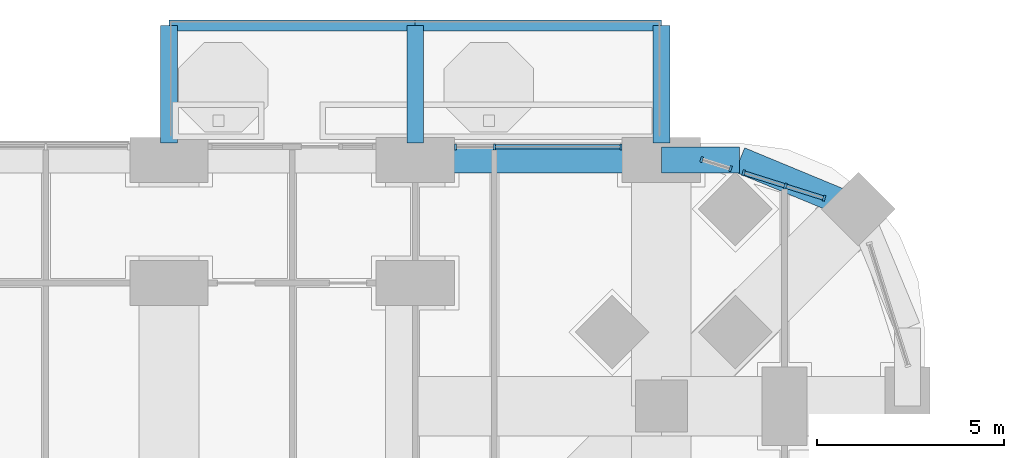
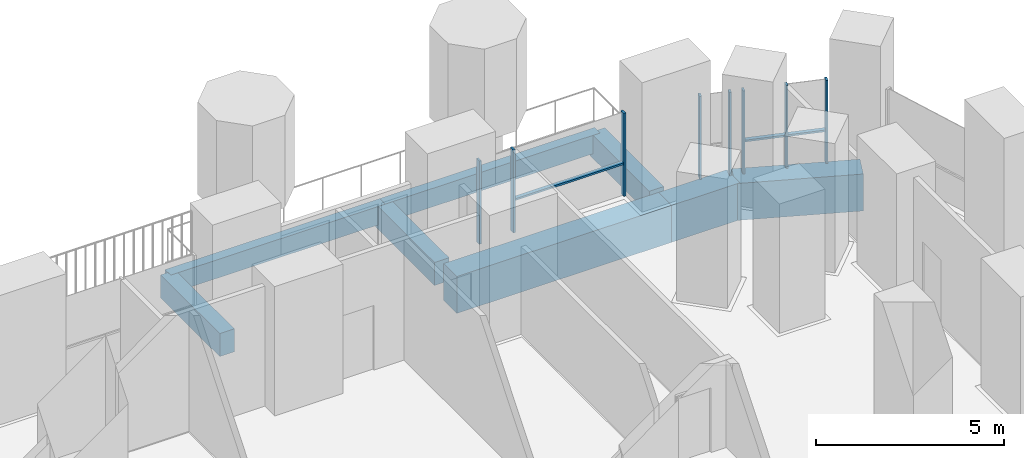
# One storey, part 10 of 27: 11 members, 8 beams, 3 elements without a shape of their own.
"""IFC4 building model written with IfcOpenShell, lengths in metres."""

import ifcopenshell
import ifcopenshell.guid

model = None  # the IFC model being written
_history = None  # IfcOwnerHistory: only IFC2X3 demands one
_inside = {}  # id of a spatial element -> (the spatial element, [elements in it])
_under = {}  # id of a project, library or spatial element -> (it, [spatial elements below it])
_declared = {}  # id of a project -> (the project, [libraries it declares])
_typed = {}  # id of a type object -> (the type object, [elements of that type])
_made_of = {}  # id of a material, layer set ... -> (it, [elements and type objects made of it])


def new_model(schema):
    """Start an empty IFC model of exactly this schema.

    Asked for "IFC4X3", IfcOpenShell would pick the latest addendum, in which some entities
    have other attributes; the version numbers below select the first issue.
    IFC2X3 requires an IfcOwnerHistory on every rooted entity: one is made here for all.
    """
    global model, _history
    if schema == "IFC4X3":
        model = ifcopenshell.file(schema_version=(4, 3, 0, 0))
    else:
        model = ifcopenshell.file(schema=schema)
    _inside.clear()
    _under.clear()
    _declared.clear()
    _typed.clear()
    _made_of.clear()
    _history = None
    if model.schema == "IFC2X3":
        org = make("IfcOrganization", Name="unknown")
        user = make(
            "IfcPersonAndOrganization",
            ThePerson=make("IfcPerson", FamilyName="unknown"),
            TheOrganization=org,
        )
        app = make(
            "IfcApplication",
            ApplicationDeveloper=org,
            Version="unknown",
            ApplicationFullName="unknown",
            ApplicationIdentifier="unknown",
        )
        _history = make(
            "IfcOwnerHistory",
            OwningUser=user,
            OwningApplication=app,
            ChangeAction="ADDED",
            CreationDate=0,
        )
    return model


def make(cls, **values):
    """One entity of the class cls with the attributes given. An attribute that is None is left unset."""
    return model.create_entity(
        cls, **{name: value for name, value in values.items() if value is not None}
    )


def rooted(cls, **values):
    """An entity with a GlobalId (a new one), such as an element, a storey or a relation."""
    return make(cls, GlobalId=ifcopenshell.guid.new(), OwnerHistory=_history, **values)


def si_unit(unit_type, name, prefix=None):
    """IfcSIUnit, for example si_unit("LENGTHUNIT", "METRE", prefix="MILLI")."""
    return make("IfcSIUnit", UnitType=unit_type, Prefix=prefix, Name=name)


def assignment(units):
    """IfcUnitAssignment: the units of a project."""
    return None if units is None else make("IfcUnitAssignment", Units=units)


def point(xyz):
    """IfcCartesianPoint."""
    return None if xyz is None else make("IfcCartesianPoint", Coordinates=xyz)


def direction(xyz):
    """IfcDirection."""
    return None if xyz is None else make("IfcDirection", DirectionRatios=xyz)


def frame(location, z_axis=None, x_axis=None):
    """IfcAxis2Placement3D, a coordinate frame: its origin and axes. An axis left out is left unset."""
    return make(
        "IfcAxis2Placement3D",
        Location=point(location),
        Axis=direction(z_axis),
        RefDirection=direction(x_axis),
    )


def frame_2d(location, x_axis=None):
    """IfcAxis2Placement2D, a coordinate frame in the plane: its origin and x axis."""
    return make(
        "IfcAxis2Placement2D", Location=point(location), RefDirection=direction(x_axis)
    )


def origin():
    """The frame at (0, 0, 0) with its axes left unset."""
    return frame((0.0, 0.0, 0.0))


def origin_2d():
    """The frame at (0, 0) in the plane with its x axis left unset."""
    return frame_2d((0.0, 0.0))


def place(relative_to, where):
    """IfcLocalPlacement: puts the frame where relative to a parent placement (None: the world)."""
    return make(
        "IfcLocalPlacement", PlacementRelTo=relative_to, RelativePlacement=where
    )


def context(
    kind, dimensions, precision=None, world=None, true_north=None, identifier=None
):
    """IfcGeometricRepresentationContext, for example the 3D "Model" context."""
    return make(
        "IfcGeometricRepresentationContext",
        ContextIdentifier=identifier,
        ContextType=kind,
        CoordinateSpaceDimension=dimensions,
        Precision=precision,
        WorldCoordinateSystem=world,
        TrueNorth=true_north,
    )


def subcontext(parent, identifier, kind, view, scale=None):
    """IfcGeometricRepresentationSubContext, for example "Body" below "Model"."""
    return make(
        "IfcGeometricRepresentationSubContext",
        ContextIdentifier=identifier,
        ContextType=kind,
        ParentContext=parent,
        TargetScale=scale,
        TargetView=view,
    )


def project(units=None, contexts=None):
    """IfcProject with its units and contexts."""
    return rooted(
        "IfcProject",
        Name="project",
        RepresentationContexts=contexts,
        UnitsInContext=assignment(units),
    )


def spatial(cls, under=None, at=None, **own):
    """A site, building, storey or space (cls), placed at a placement, below another one or the project."""
    s = rooted(cls, ObjectPlacement=at, **own)
    if under is not None:
        _under.setdefault(under.id(), (under, []))[1].append(s)
    return s


def profile(cls, at=None, kind="AREA", **sizes):
    """A parametric profile (cls). Its sizes go by their IFC names, for example OverallWidth=200.0."""
    return make(cls, ProfileType=kind, Position=at, **sizes)


def rectangle(**sizes):
    """IfcRectangleProfileDef."""
    return profile("IfcRectangleProfileDef", **sizes)


def extrude(swept, where, along, depth):
    """IfcExtrudedAreaSolid: the profile swept, set in the frame where, extruded along a direction by depth."""
    return make(
        "IfcExtrudedAreaSolid",
        SweptArea=swept,
        Position=where,
        ExtrudedDirection=direction(along),
        Depth=depth,
    )


def shape(context_of_items, identifier, shape_type, items):
    """IfcShapeRepresentation: the items that make up one representation, for example the "Body"."""
    return make(
        "IfcShapeRepresentation",
        ContextOfItems=context_of_items,
        RepresentationIdentifier=identifier,
        RepresentationType=shape_type,
        Items=items,
    )


def material(Name=None, Category=None):
    """IfcMaterial."""
    return make("IfcMaterial", Name=Name, Category=Category)


def material_profile(
    of_material, cross_section, Name=None, Category=None, Priority=None
):
    """IfcMaterialProfile: a cross section and its material."""
    return make(
        "IfcMaterialProfile",
        Name=Name,
        Material=of_material,
        Profile=cross_section,
        Priority=Priority,
        Category=Category,
    )


def profile_set(profiles, Name=None, composite=None):
    """IfcMaterialProfileSet."""
    return make(
        "IfcMaterialProfileSet",
        Name=Name,
        MaterialProfiles=profiles,
        CompositeProfile=composite,
    )


def made_of(thing, what):
    """Note that an element or type object is made of a material, layer set ...; save() writes the relation."""
    if what is not None:
        _made_of.setdefault(what.id(), (what, []))[1].append(thing)
    return thing


def type_object(cls, material=None, **own):
    """A type object (cls), such as IfcWallType, which elements share."""
    return made_of(rooted(cls, **own), material)


def element(
    cls,
    number,
    at=None,
    inside=None,
    cuts=None,
    type_object=None,
    material=None,
    context=None,
    identifier="Body",
    shape_type=None,
    held_by="IfcProductDefinitionShape",
    body=None,
    shapes=None,
    **own,
):
    """One element of the class cls, such as IfcWall. Its Tag is "e" and its number.

    at: its placement. inside: the storey or other place that contains it. cuts: it is an
    opening in that element (IfcRelVoidsElement). A single representation is given by context,
    identifier, shape_type and body (its items); several are given by shapes. held_by: the class
    of the entity that holds the representations. save() writes the other relations.
    """
    e = rooted(cls, Tag="e%d" % number, ObjectPlacement=at, **own)
    if body is not None:
        shapes = [shape(context, identifier, shape_type, body)]
    if shapes is not None:
        e.Representation = make(held_by, Representations=shapes)
    if inside is not None:
        _inside.setdefault(inside.id(), (inside, []))[1].append(e)
    if cuts is not None:
        rooted(
            "IfcRelVoidsElement", RelatingBuildingElement=cuts, RelatedOpeningElement=e
        )
    if type_object is not None:
        _typed.setdefault(type_object.id(), (type_object, []))[1].append(e)
    return made_of(e, material)


def aggregate(whole, parts):
    """IfcRelAggregates: a whole, such as a stair, and the parts it consists of."""
    return rooted("IfcRelAggregates", RelatingObject=whole, RelatedObjects=parts)


def save(model, path):
    """Write the relations noted so far, then the file.

    IfcRelAggregates (storeys below a building ...), IfcRelContainedInSpatialStructure (elements
    in a storey), IfcRelDefinesByType, IfcRelAssociatesMaterial and IfcRelDeclares: one each for
    every whole, place, type object, material and project.
    """
    for whole, parts in _under.values():
        aggregate(whole, parts)
    for where, things in _inside.values():
        rooted(
            "IfcRelContainedInSpatialStructure",
            RelatedElements=things,
            RelatingStructure=where,
        )
    for kind, things in _typed.values():
        rooted("IfcRelDefinesByType", RelatedObjects=things, RelatingType=kind)
    for what, things in _made_of.values():
        rooted("IfcRelAssociatesMaterial", RelatedObjects=things, RelatingMaterial=what)
    for by, libraries in _declared.values():
        rooted("IfcRelDeclares", RelatingContext=by, RelatedDefinitions=libraries)
    model.write(path)


model = new_model("IFC4")

# Units and contexts
model_context = context("Model", 3, precision=1e-05, world=origin(), true_north=direction((0.0, 1.0)))
body_context = subcontext(model_context, "Body", "Model", "MODEL_VIEW")
ifc_project = project(units=[si_unit("LENGTHUNIT", "METRE"), si_unit("AREAUNIT", "SQUARE_METRE"), si_unit("VOLUMEUNIT", "CUBIC_METRE"), si_unit("PLANEANGLEUNIT", "RADIAN"), si_unit("MASSUNIT", "GRAM", prefix="KILO")], contexts=[model_context])

# Site, building, storey
site_placement = place(None, origin())
site = spatial("IfcSite", under=ifc_project, at=site_placement, CompositionType="ELEMENT")
building_placement = place(site_placement, origin())
building = spatial("IfcBuilding", under=site, at=building_placement, Name="Cobogo Forest Laboratory Tower", CompositionType="ELEMENT")
storey_placement = place(building_placement, frame((0.0, 0.0, 54.89990234375)))
storey = spatial("IfcBuildingStorey", under=building, at=storey_placement, Name="L12", CompositionType="ELEMENT", Elevation=54.89990234375)

# Beams
ifc_material_1 = material(Name="Concrete HA-40 (C40/50)", Category="concrete")
ifc_material_profile_1 = material_profile(ifc_material_1, rectangle(XDim=0.449951171875, YDim=0.75, at=origin_2d()), Name="RC 450x750")
ifc_profile_set_1 = profile_set([ifc_material_profile_1], Name="Concrete HA-40 (C40/50)")
beam_type_1 = type_object("IfcBeamType", Name="Balcony cantilever beam 450x750", PredefinedType="BEAM", material=ifc_profile_set_1)
for number, where, z_axis, x_axis, name in (
    (1, (33.0, 46.64990234375, -0.625), (0.0, 1.0, 0.0), (-1.0, 0.0, 0.0), "CB1 BAL-N2-C1 L12"),
    (2, (39.60009765625, 46.64990234375, -0.625), (0.0, 1.0, 0.0), (-1.0, 0.0, 0.0), "CB1 BAL-N2-C2 L12"),
    (3, (46.199951171875, 46.64990234375, -0.625), (0.0, 1.0, 0.0), (-1.0, 0.0, 0.0), "CB1 BAL-N2-C3 L12"),
):
    element("IfcBeam", number, at=place(storey_placement, frame(where, z_axis=z_axis, x_axis=x_axis)), inside=storey, type_object=beam_type_1, Name=name, PredefinedType="BEAM", context=body_context, shape_type="SweptSolid", body=[
        extrude(rectangle(XDim=0.449951171875, YDim=0.75, at=origin_2d()), origin(), (0.0, 0.0, 1.0), 3.150146484375),
    ])
ifc_material_profile_2 = material_profile(ifc_material_1, rectangle(XDim=0.300048828125, YDim=0.60009765625, at=origin_2d()), Name="RC 300x600")
ifc_profile_set_2 = profile_set([ifc_material_profile_2], Name="Concrete HA-40 (C40/50)")
beam_type_2 = type_object("IfcBeamType", Name="Balcony edge beam 300x600", PredefinedType="BEAM", material=ifc_profile_set_2)
beam_1_placement = place(storey_placement, frame((33.0, 49.800048828125, -0.5498046875), z_axis=(1.0, 0.0, 0.0), x_axis=(0.0, 1.0, 0.0)))
element("IfcBeam", 4, at=beam_1_placement, inside=storey, type_object=beam_type_2, Name="BB1 BAL-N2-T1 L12", PredefinedType="BEAM", context=body_context, shape_type="SweptSolid", body=[
    extrude(rectangle(XDim=0.300048828125, YDim=0.60009765625, at=origin_2d()), origin(), (0.0, 0.0, 1.0), 6.60009765625),
])
beam_2_placement = place(storey_placement, frame((39.60009765625, 49.800048828125, -0.5498046875), z_axis=(1.0, 0.0, 0.0), x_axis=(0.0, 1.0, 0.0)))
element("IfcBeam", 5, at=beam_2_placement, inside=storey, type_object=beam_type_2, Name="BB1 BAL-N2-T2 L12", PredefinedType="BEAM", context=body_context, shape_type="SweptSolid", body=[
    extrude(rectangle(XDim=0.300048828125, YDim=0.60009765625, at=origin_2d()), origin(), (0.0, 0.0, 1.0), 6.599853515625),
])

# Curtain wall, members
ifc_material_2 = material(Name="Aluminium curtain wall", Category="aluminium")
curtain_wall_type = type_object("IfcCurtainWallType", Name="CW-1 unitised curtain wall, clear glazing, laboratory floors zones A and B", PredefinedType="USERDEFINED", material=ifc_material_2)
curtain_wall_1_placement = place(storey_placement, origin())
curtain_wall_1 = element("IfcCurtainWall", 6, at=curtain_wall_1_placement, inside=storey, type_object=curtain_wall_type, Name="Curtain wall 16 L12", ObjectType="UNITISED CURTAIN WALL", PredefinedType="USERDEFINED")
ifc_material_3 = material(Name="Aluminium mullion", Category="aluminium")
ifc_material_profile_3 = material_profile(ifc_material_3, rectangle(XDim=0.06005859375, YDim=0.159912109375, at=origin_2d()), Name="AL 60x160")
ifc_profile_set_3 = profile_set([ifc_material_profile_3], Name="Aluminium mullion")
member_type_1 = type_object("IfcMemberType", Name="MU-1 aluminium mullion 60x160", PredefinedType="MULLION", material=ifc_profile_set_3)
member_1_placement = place(storey_placement, frame((50.561279296875, 45.1728515625, 0.0), z_axis=(0.0, 0.0, 1.0), x_axis=(-0.953581409645, 0.301135343623, 0.0)))
member_1 = element("IfcMember", 7, at=member_1_placement, type_object=member_type_1, Name="CW-1 mullion 1", PredefinedType="MULLION", context=body_context, shape_type="SweptSolid", body=[
    extrude(rectangle(XDim=0.06005859375, YDim=0.159912109375, at=origin_2d()), origin(), (0.0, 0.0, 1.0), 2.7001953125),
])
member_2_placement = place(storey_placement, frame((49.524169921875, 45.500244140625, 0.0), z_axis=(0.0, 0.0, 1.0), x_axis=(-0.953581409645, 0.301135343623, 0.0)))
member_2 = element("IfcMember", 8, at=member_2_placement, type_object=member_type_1, Name="CW-1 mullion 2", PredefinedType="MULLION", context=body_context, shape_type="SweptSolid", body=[
    extrude(rectangle(XDim=0.06005859375, YDim=0.159912109375, at=origin_2d()), origin(), (0.0, 0.0, 1.0), 2.7001953125),
])
member_3_placement = place(storey_placement, frame((48.403076171875, 45.854248046875, 0.0), z_axis=(0.0, 0.0, 1.0), x_axis=(-0.953581409645, 0.301135343623, 0.0)))
member_3 = element("IfcMember", 9, at=member_3_placement, type_object=member_type_1, Name="CW-1 mullion 3", PredefinedType="MULLION", context=body_context, shape_type="SweptSolid", body=[
    extrude(rectangle(XDim=0.06005859375, YDim=0.159912109375, at=origin_2d()), origin(), (0.0, 0.0, 1.0), 2.7001953125),
])

curtain_wall_2_placement = place(storey_placement, origin())
curtain_wall_2 = element("IfcCurtainWall", 10, at=curtain_wall_2_placement, inside=storey, type_object=curtain_wall_type, Name="Curtain wall 17 L12", ObjectType="UNITISED CURTAIN WALL", PredefinedType="USERDEFINED")
member_4_placement = place(storey_placement, frame((48.05322265625, 45.96484375, 0.0), z_axis=(0.0, 0.0, 1.0), x_axis=(-0.953581504428, 0.301135043481, 0.0)))
member_4 = element("IfcMember", 11, at=member_4_placement, type_object=member_type_1, Name="CW-1 mullion 1", PredefinedType="MULLION", context=body_context, shape_type="SweptSolid", body=[
    extrude(rectangle(XDim=0.06005859375, YDim=0.159912109375, at=origin_2d()), origin(), (0.0, 0.0, 1.0), 2.7001953125),
])
member_5_placement = place(storey_placement, frame((47.278564453125, 46.20947265625, 0.0), z_axis=(0.0, 0.0, 1.0), x_axis=(-0.953581504428, 0.301135043481, 0.0)))
member_5 = element("IfcMember", 12, at=member_5_placement, type_object=member_type_1, Name="CW-1 mullion 2", PredefinedType="MULLION", context=body_context, shape_type="SweptSolid", body=[
    extrude(rectangle(XDim=0.06005859375, YDim=0.159912109375, at=origin_2d()), origin(), (0.0, 0.0, 1.0), 2.7001953125),
])
aggregate(curtain_wall_2, [member_4, member_5])

curtain_wall_3_placement = place(storey_placement, origin())
curtain_wall_3 = element("IfcCurtainWall", 13, at=curtain_wall_3_placement, inside=storey, type_object=curtain_wall_type, Name="Curtain wall 18 L12", ObjectType="UNITISED CURTAIN WALL", PredefinedType="USERDEFINED")
member_6_placement = place(storey_placement, frame((45.1201171875, 46.550048828125, 0.0), z_axis=(0.0, 0.0, 1.0), x_axis=(-1.0, 0.0, 0.0)))
member_6 = element("IfcMember", 14, at=member_6_placement, type_object=member_type_1, Name="CW-1 mullion 1", PredefinedType="MULLION", context=body_context, shape_type="SweptSolid", body=[
    extrude(rectangle(XDim=0.06005859375, YDim=0.159912109375, at=origin_2d()), origin(), (0.0, 0.0, 1.0), 2.7001953125),
])
member_7_placement = place(storey_placement, frame((41.72509765625, 46.550048828125, 0.0), z_axis=(0.0, 0.0, 1.0), x_axis=(-1.0, 0.0, 0.0)))
member_7 = element("IfcMember", 15, at=member_7_placement, type_object=member_type_1, Name="CW-1 mullion 2", PredefinedType="MULLION", context=body_context, shape_type="SweptSolid", body=[
    extrude(rectangle(XDim=0.06005859375, YDim=0.159912109375, at=origin_2d()), origin(), (0.0, 0.0, 1.0), 2.7001953125),
])
member_8_placement = place(storey_placement, frame((40.679931640625, 46.550048828125, 0.0), z_axis=(0.0, 0.0, 1.0), x_axis=(-1.0, 0.0, 0.0)))
member_8 = element("IfcMember", 16, at=member_8_placement, type_object=member_type_1, Name="CW-1 mullion 3", PredefinedType="MULLION", context=body_context, shape_type="SweptSolid", body=[
    extrude(rectangle(XDim=0.06005859375, YDim=0.159912109375, at=origin_2d()), origin(), (0.0, 0.0, 1.0), 2.7001953125),
])

# Beams
ifc_material_profile_4 = material_profile(ifc_material_1, rectangle(XDim=0.699951171875, YDim=1.199951171875, at=origin_2d()), Name="RC 700x1200")
ifc_profile_set_4 = profile_set([ifc_material_profile_4], Name="Concrete HA-40 (C40/50)")
beam_type_3 = type_object("IfcBeamType", Name="Perimeter edge beam 700x1200", PredefinedType="BEAM", material=ifc_profile_set_4)
beam_3_placement = place(storey_placement, frame((39.60009765625, 46.199951171875, -0.89990234375), z_axis=(1.0, 0.0, 0.0), x_axis=(0.0, 1.0, 0.0)))
element("IfcBeam", 17, at=beam_3_placement, inside=storey, type_object=beam_type_3, Name="EB1 E-N6 L12", PredefinedType="BEAM", context=body_context, shape_type="SweptSolid", body=[
    extrude(rectangle(XDim=0.699951171875, YDim=1.199951171875, at=origin_2d()), origin(), (0.0, 0.0, 1.0), 6.599853515625),
])
beam_4_placement = place(storey_placement, frame((46.199951171875, 46.199951171875, -0.89990234375), z_axis=(1.0, 0.0, 0.0), x_axis=(0.0, 1.0, 0.0)))
element("IfcBeam", 18, at=beam_4_placement, inside=storey, type_object=beam_type_3, Name="EB1 E-NEN1 L12", PredefinedType="BEAM", context=body_context, shape_type="SweptSolid", body=[
    extrude(rectangle(XDim=0.699951171875, YDim=1.199951171875, at=origin_2d()), origin(), (0.0, 0.0, 1.0), 2.10009765625),
])
beam_5_placement = place(storey_placement, frame((48.300048828125, 46.199951171875, -0.89990234375), z_axis=(0.923890694089, -0.382656484822, 0.0), x_axis=(0.382656484822, 0.923890694089, 0.0)))
element("IfcBeam", 19, at=beam_5_placement, inside=storey, type_object=beam_type_3, Name="EB1 E-NEN2 L12", PredefinedType="BEAM", context=body_context, shape_type="SweptSolid", body=[
    extrude(rectangle(XDim=0.699951171875, YDim=1.199951171875, at=origin_2d()), origin(), (0.0, 0.0, 1.0), 3.444091796875),
])

# Member
ifc_material_4 = material(Name="Aluminium transom", Category="aluminium")
ifc_material_profile_5 = material_profile(ifc_material_4, rectangle(XDim=0.1201171875, YDim=0.06005859375, at=origin_2d()), Name="AL 60x120")
ifc_profile_set_5 = profile_set([ifc_material_profile_5], Name="Aluminium transom")
member_type_2 = type_object("IfcMemberType", Name="TR-1 aluminium transom 60x120", PredefinedType="USERDEFINED", material=ifc_profile_set_5)
member_9_placement = place(storey_placement, frame((50.53271484375, 45.181884765625, 1.050048828125), z_axis=(-0.953622152866, 0.301006294888, 0.0), x_axis=(-0.301006294888, -0.953622152866, 0.0)))
member_9 = element("IfcMember", 20, at=member_9_placement, type_object=member_type_2, Name="CW-1 transom 1.1", ObjectType="TRANSOM", PredefinedType="USERDEFINED", context=body_context, shape_type="SweptSolid", body=[
    extrude(rectangle(XDim=0.1201171875, YDim=0.06005859375, at=origin_2d()), origin(), (0.0, 0.0, 1.0), 1.027587890625),
])

member_10_placement = place(storey_placement, frame((49.495361328125, 45.50927734375, 1.050048828125), z_axis=(-0.953576049467, 0.301152316747, 0.0), x_axis=(-0.301152316747, -0.953576049467, 0.0)))
member_10 = element("IfcMember", 21, at=member_10_placement, type_object=member_type_2, Name="CW-1 transom 2.1", ObjectType="TRANSOM", PredefinedType="USERDEFINED", context=body_context, shape_type="SweptSolid", body=[
    extrude(rectangle(XDim=0.1201171875, YDim=0.06005859375, at=origin_2d()), origin(), (0.0, 0.0, 1.0), 1.115478515625),
])

aggregate(curtain_wall_1, [member_1, member_2, member_3, member_9, member_10])

member_11_placement = place(storey_placement, frame((45.090087890625, 46.550048828125, 1.050048828125), z_axis=(-1.0, 0.0, 0.0), x_axis=(0.0, -1.0, 0.0)))
member_11 = element("IfcMember", 22, at=member_11_placement, type_object=member_type_2, Name="CW-1 transom 1.1", ObjectType="TRANSOM", PredefinedType="USERDEFINED", context=body_context, shape_type="SweptSolid", body=[
    extrude(rectangle(XDim=0.1201171875, YDim=0.06005859375, at=origin_2d()), origin(), (0.0, 0.0, 1.0), 3.335205078125),
])

aggregate(curtain_wall_3, [member_6, member_7, member_8, member_11])

save(model, "model.ifc")
